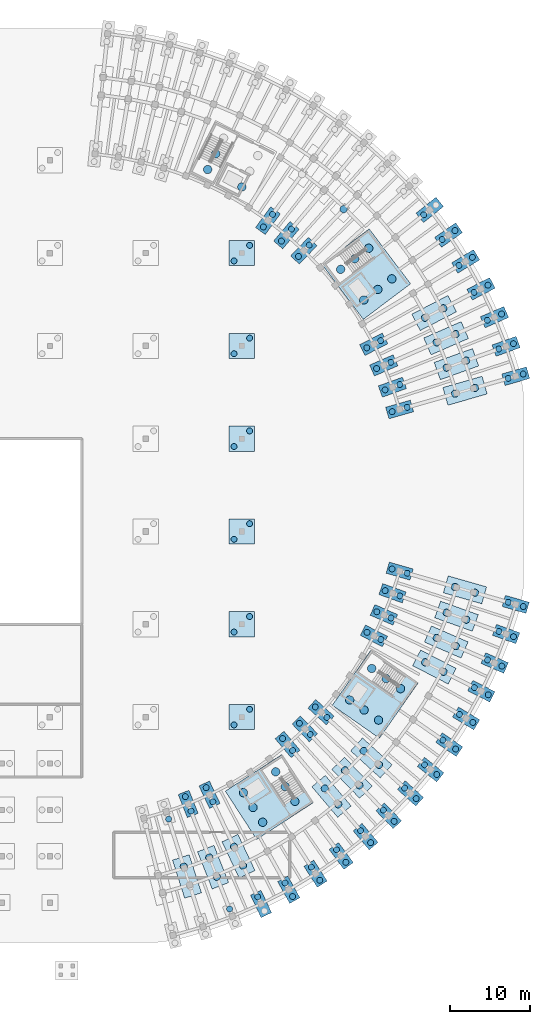
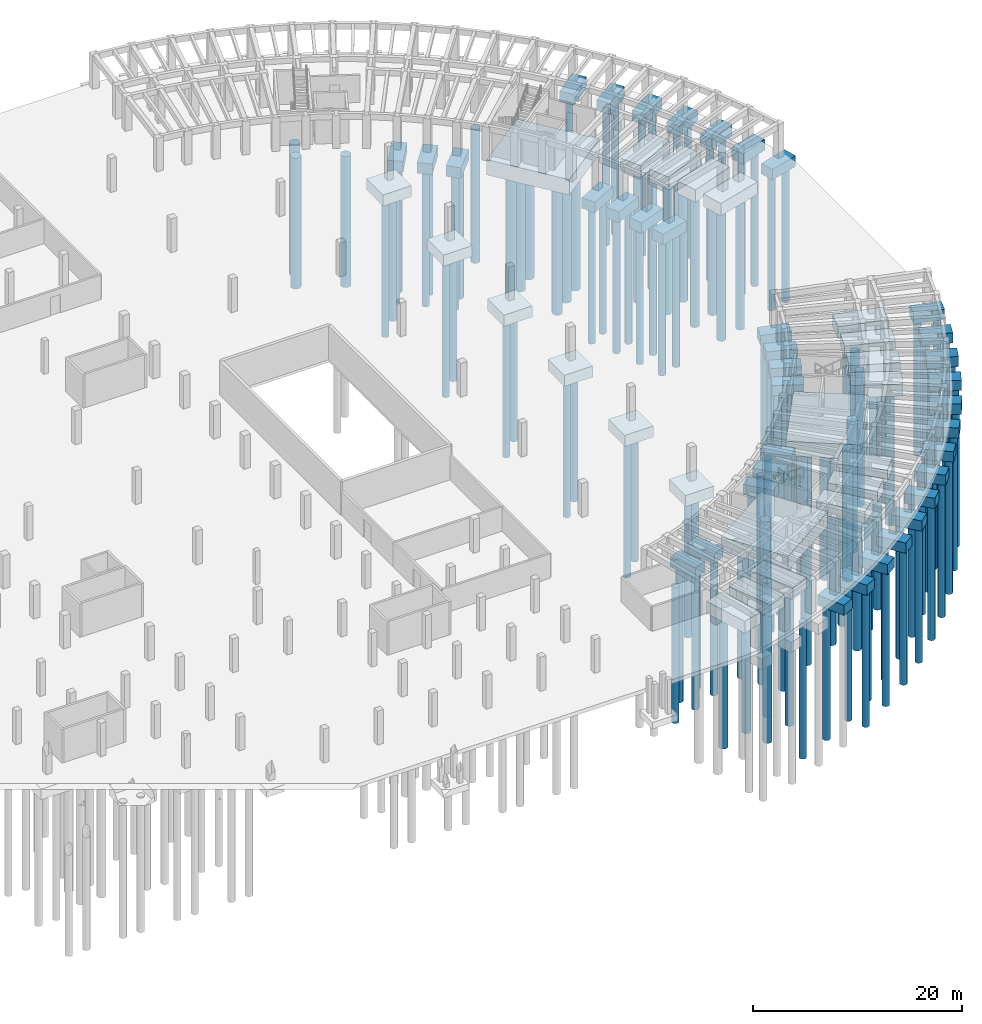
# One storey, part 5 of 29: 135 piles, 60 footings.
"""IFC4 building model written with IfcOpenShell, lengths in metres."""

from ifc_helpers import new_model, si_unit, direction, frame, origin, origin_2d, place, context, subcontext, project, spatial, rectangle, circle, extrude, material, material_profile, profile_set, type_object, element, save


model = new_model("IFC4")

# Units and contexts
model_context = context("Model", 3, precision=1e-05, world=origin(), true_north=direction((0.0, 1.0)))
body_context = subcontext(model_context, "Body", "Model", "MODEL_VIEW")
ifc_project = project(units=[si_unit("LENGTHUNIT", "METRE"), si_unit("AREAUNIT", "SQUARE_METRE"), si_unit("VOLUMEUNIT", "CUBIC_METRE"), si_unit("PLANEANGLEUNIT", "RADIAN"), si_unit("MASSUNIT", "GRAM", prefix="KILO")], contexts=[model_context])

# Site, building, storey
site_placement = place(None, origin())
site = spatial("IfcSite", under=ifc_project, at=site_placement, CompositionType="ELEMENT")
building_placement = place(site_placement, origin())
building = spatial("IfcBuilding", under=site, at=building_placement, Name="Tanwirah Colonnade Gardens", CompositionType="ELEMENT")
storey_placement = place(building_placement, frame((0.0, 0.0, -4.199951171875)))
storey = spatial("IfcBuildingStorey", under=building, at=storey_placement, Name="B1", CompositionType="ELEMENT", Elevation=-4.199951171875)

# Footings
ifc_material = material(Name="Concrete C45/55", Category="concrete")
footing_type_1 = type_object("IfcFootingType", Name="PC-2P75A", PredefinedType="PILE_CAP", material=ifc_material)
for number, where, z_axis, x_axis, name in (
    (1, (137.291015625, 23.142822265625, -1.64990234375), (0.0, 0.0, 1.0), (0.366501226724, -0.930417567982, 0.0), "Footing CAP-D-IN-02"),
    (2, (139.9609375, 24.296875, -1.64990234375), (0.0, 0.0, 1.0), (0.426568739901, -0.904455145454, 0.0), "Footing CAP-D-IN-03"),
    (3, (146.402099609375, 10.6396484375, -1.64990234375), (0.0, 0.0, 1.0), (0.426568739901, -0.904455145454, 0.0), "Footing CAP-D-OUT-03"),
    (4, (149.870361328125, 12.41650390625, -1.64990234375), (0.0, 0.0, 1.0), (0.484809620246, -0.874619707139, 0.0), "Footing CAP-D-OUT-04"),
    (5, (153.215087890625, 14.416015625, -1.64990234375), (0.0, 0.0, 1.0), (0.540974471368, -0.841039012964, 0.0), "Footing CAP-D-OUT-05"),
    (6, (156.421630859375, 16.63037109375, -1.64990234375), (0.0, 0.0, 1.0), (0.594822786751, -0.803856860617, 0.0), "Footing CAP-D-OUT-06"),
    (7, (149.72021484375, 30.57421875, -1.64990234375), (0.0, 0.0, 1.0), (0.646123979643, -0.763232469783, 0.0), "Footing CAP-D-IN-07"),
    (8, (159.4765625, 19.049560546875, -1.64990234375), (0.0, 0.0, 1.0), (0.646123979643, -0.763232469783, 0.0), "Footing CAP-D-OUT-07"),
    (9, (151.877685546875, 32.525390625, -1.64990234375), (0.0, 0.0, 1.0), (0.694658370459, -0.719339800339, 0.0), "Footing CAP-D-IN-08"),
    (10, (162.366943359375, 21.663330078125, -1.64990234375), (0.0, 0.0, 1.0), (0.694658370459, -0.719339800339, 0.0), "Footing CAP-D-OUT-08"),
    (11, (153.902587890625, 34.61328125, -1.64990234375), (0.0, 0.0, 1.0), (0.740218127487, -0.672366807435, 0.0), "Footing CAP-D-IN-09"),
    (12, (165.080078125, 24.46044921875, -1.64990234375), (0.0, 0.0, 1.0), (0.740218127487, -0.672366807435, 0.0), "Footing CAP-D-OUT-09"),
    (13, (167.604248046875, 27.42919921875, -1.64990234375), (0.0, 0.0, 1.0), (0.782608156852, -0.622514636638, 0.0), "Footing CAP-D-OUT-10"),
    (14, (169.928955078125, 30.556640625, -1.64990234375), (0.0, 0.0, 1.0), (0.821646937942, -0.569996762596, 0.0), "Footing CAP-D-OUT-11"),
    (15, (172.04443359375, 33.82958984375, -1.64990234375), (0.0, 0.0, 1.0), (0.857167300702, -0.51503807491, 0.0), "Footing CAP-D-OUT-12"),
    (16, (160.516845703125, 44.1474609375, -1.64990234375), (0.0, 0.0, 1.0), (0.889017141486, -0.457873915117, 0.0), "Footing CAP-D-IN-13"),
    (17, (173.94091796875, 37.233642578125, -1.64990234375), (0.0, 0.0, 1.0), (0.889017141486, -0.457873915117, 0.0), "Footing CAP-D-OUT-13"),
    (18, (161.763427734375, 46.775634765625, -1.64990234375), (0.0, 0.0, 1.0), (0.917060074385, -0.398749068925, 0.0), "Footing CAP-D-IN-14"),
    (19, (175.61083984375, 40.75439453125, -1.64990234375), (0.0, 0.0, 1.0), (0.917060074385, -0.398749068925, 0.0), "Footing CAP-D-OUT-14"),
    (20, (162.835205078125, 49.4794921875, -1.64990234375), (0.0, 0.0, 1.0), (0.941176015256, -0.337916718003, 0.0), "Footing CAP-D-IN-15"),
    (21, (177.047119140625, 44.376953125, -1.64990234375), (0.0, 0.0, 1.0), (0.941176015256, -0.337916718003, 0.0), "Footing CAP-D-OUT-15"),
    (22, (163.72802734375, 52.247802734375, -1.64990234375), (0.0, 0.0, 1.0), (0.961261695938, -0.275637355817, 0.0), "Footing CAP-D-IN-16"),
    (23, (178.2431640625, 48.085693359375, -1.64990234375), (0.0, 0.0, 1.0), (0.961261695938, -0.275637355817, 0.0), "Footing CAP-D-OUT-16"),
):
    element("IfcFooting", number, at=place(storey_placement, frame(where, z_axis=z_axis, x_axis=x_axis)), inside=storey, type_object=footing_type_1, Name=name, PredefinedType="PILE_CAP", context=body_context, shape_type="SweptSolid", body=[
        extrude(rectangle(XDim=3.10009765625, YDim=1.449951171875, at=origin_2d()), origin(), (0.0, 0.0, 1.0), 1.199951171875),
    ])
footing_type_2 = type_object("IfcFootingType", Name="PC-2P75B", PredefinedType="PILE_CAP", material=ifc_material)
for number, where, z_axis, x_axis, name in (
    (24, (163.72802734375, 72.4521484375, -1.699951171875), (0.0, 0.0, 1.0), (0.961261695938, 0.275637355817, 0.0), "Footing CAP-B-IN-00"),
    (25, (178.2431640625, 76.6142578125, -1.699951171875), (0.0, 0.0, 1.0), (0.961261695938, 0.275637355817, 0.0), "Footing CAP-B-OUT-00"),
    (26, (162.827880859375, 75.24072265625, -1.699951171875), (0.0, 0.0, 1.0), (0.941012076693, 0.338372976931, 0.0), "Footing CAP-B-IN-01"),
    (27, (177.037353515625, 80.35009765625, -1.699951171875), (0.0, 0.0, 1.0), (0.941012076693, 0.338372976931, 0.0), "Footing CAP-B-OUT-01"),
    (28, (161.74609375, 77.9638671875, -1.699951171875), (0.0, 0.0, 1.0), (0.916673002238, 0.39963809499, 0.0), "Footing CAP-B-IN-02"),
    (29, (175.587890625, 83.99853515625, -1.699951171875), (0.0, 0.0, 1.0), (0.916673002238, 0.39963809499, 0.0), "Footing CAP-B-OUT-02"),
    (30, (160.487060546875, 80.60986328125, -1.699951171875), (0.0, 0.0, 1.0), (0.88835024545, 0.459166463723, 0.0), "Footing CAP-B-IN-03"),
    (31, (173.9013671875, 87.54345703125, -1.699951171875), (0.0, 0.0, 1.0), (0.88835024545, 0.459166463723, 0.0), "Footing CAP-B-OUT-03"),
    (32, (171.984619140625, 90.969482421875, -1.699951171875), (0.0, 0.0, 1.0), (0.856166891514, 0.516699384434, 0.0), "Footing CAP-B-OUT-04"),
    (33, (169.8466796875, 94.26171875, -1.699951171875), (0.0, 0.0, 1.0), (0.820262803018, 0.571986830255, 0.0), "Footing CAP-B-OUT-05"),
    (34, (167.496337890625, 97.40625, -1.699951171875), (0.0, 0.0, 1.0), (0.780794012137, 0.624788532714, 0.0), "Footing CAP-B-OUT-06"),
    (35, (151.75341796875, 92.294189453125, -1.699951171875), (0.0, 0.0, 1.0), (0.691863164029, 0.722028643656, 0.0), "Footing CAP-B-IN-08"),
    (36, (149.572021484375, 94.250732421875, -1.699951171875), (0.0, 0.0, 1.0), (0.642787582947, 0.766044465556, 0.0), "Footing CAP-B-IN-09"),
    (37, (147.266357421875, 96.05908203125, -1.699951171875), (0.0, 0.0, 1.0), (0.590918572221, 0.806731207407, 0.0), "Footing CAP-B-IN-10"),
):
    element("IfcFooting", number, at=place(storey_placement, frame(where, z_axis=z_axis, x_axis=x_axis)), inside=storey, type_object=footing_type_2, Name=name, PredefinedType="PILE_CAP", context=body_context, shape_type="SweptSolid", body=[
        extrude(rectangle(XDim=3.199951171875, YDim=1.5, at=origin_2d()), origin(), (0.0, 0.0, 1.0), 1.25),
    ])
footing_type_3 = type_object("IfcFootingType", Name="PC-2P90A", PredefinedType="PILE_CAP", material=ifc_material)
for number, where, z_axis, x_axis, name in (
    (38, (137.142578125, 14.070556640625, -1.85009765625), (0.0, 0.0, 1.0), (0.304864299028, -0.952395799643, 0.0), "Footing CAP-D-MD-01"),
    (39, (140.40625, 15.234375, -1.85009765625), (0.0, 0.0, 1.0), (0.366501226724, -0.930417567982, 0.0), "Footing CAP-D-MD-02"),
    (40, (143.5869140625, 16.609130859375, -1.85009765625), (0.0, 0.0, 1.0), (0.426568739901, -0.904455145454, 0.0), "Footing CAP-D-MD-03"),
    (41, (155.212158203125, 24.0869140625, -1.85009765625), (0.0, 0.0, 1.0), (0.646123979643, -0.763232469783, 0.0), "Footing CAP-D-MD-07"),
    (42, (157.7822265625, 26.410888671875, -1.85009765625), (0.0, 0.0, 1.0), (0.694658370459, -0.719339800339, 0.0), "Footing CAP-D-MD-08"),
    (43, (160.194580078125, 28.898193359375, -1.85009765625), (0.0, 0.0, 1.0), (0.740218127487, -0.672366807435, 0.0), "Footing CAP-D-MD-09"),
    (44, (168.073486328125, 40.255615234375, -1.85009765625), (0.0, 0.0, 1.0), (0.889017141486, -0.457873915117, 0.0), "Footing CAP-D-MD-13"),
    (45, (169.558349609375, 43.38623046875, -1.85009765625), (0.0, 0.0, 1.0), (0.917060074385, -0.398749068925, 0.0), "Footing CAP-D-MD-14"),
    (46, (170.835205078125, 46.607421875, -1.85009765625), (0.0, 0.0, 1.0), (0.941176015256, -0.337916718003, 0.0), "Footing CAP-D-MD-15"),
    (47, (171.89892578125, 49.905029296875, -1.85009765625), (0.0, 0.0, 1.0), (0.961261695938, -0.275637355817, 0.0), "Footing CAP-D-MD-16"),
):
    element("IfcFooting", number, at=place(storey_placement, frame(where, z_axis=z_axis, x_axis=x_axis)), inside=storey, type_object=footing_type_3, Name=name, PredefinedType="PILE_CAP", context=body_context, shape_type="SweptSolid", body=[
        extrude(rectangle(XDim=5.0, YDim=2.199951171875, at=origin_2d()), origin(), (0.0, 0.0, 1.0), 1.39990234375),
    ])
footing_type_4 = type_object("IfcFootingType", Name="PC-2P90B", PredefinedType="PILE_CAP", material=ifc_material)
for number, where, z_axis, x_axis, name in (
    (48, (171.89892578125, 74.794921875, -1.89990234375), (0.0, 0.0, 1.0), (0.961261695938, 0.275637355817, 0.0), "Footing CAP-B-MD-00"),
    (49, (170.82666015625, 78.116943359375, -1.89990234375), (0.0, 0.0, 1.0), (0.941012076693, 0.338372976931, 0.0), "Footing CAP-B-MD-01"),
    (50, (169.537841796875, 81.36083984375, -1.89990234375), (0.0, 0.0, 1.0), (0.916673002238, 0.39963809499, 0.0), "Footing CAP-B-MD-02"),
    (51, (168.0380859375, 84.512939453125, -1.89990234375), (0.0, 0.0, 1.0), (0.88835024545, 0.459166463723, 0.0), "Footing CAP-B-MD-03"),
):
    element("IfcFooting", number, at=place(storey_placement, frame(where, z_axis=z_axis, x_axis=x_axis)), inside=storey, type_object=footing_type_4, Name=name, PredefinedType="PILE_CAP", context=body_context, shape_type="SweptSolid", body=[
        extrude(rectangle(XDim=5.10009765625, YDim=2.300048828125, at=origin_2d()), origin(), (0.0, 0.0, 1.0), 1.449951171875),
    ])
footing_type_5 = type_object("IfcFootingType", Name="PC-4P75", PredefinedType="PILE_CAP", material=ifc_material)
for number, where, z_axis, x_axis, name in (
    (52, (144.0, 34.0, -1.75), (0.0, 0.0, 1.0), (1.0, 0.0, 0.0), "Footing CAP-B1G-144-5"),
    (53, (144.0, 45.60009765625, -1.75), (0.0, 0.0, 1.0), (1.0, 0.0, 0.0), "Footing CAP-B1G-144-7"),
    (54, (144.0, 57.199951171875, -1.75), (0.0, 0.0, 1.0), (1.0, 0.0, 0.0), "Footing CAP-B1G-144-9"),
    (55, (144.0, 68.800048828125, -1.75), (0.0, 0.0, 1.0), (1.0, 0.0, 0.0), "Footing CAP-B1G-144-11"),
    (56, (144.0, 80.39990234375, -1.75), (0.0, 0.0, 1.0), (1.0, 0.0, 0.0), "Footing CAP-B1G-144-13"),
    (57, (144.0, 92.0, -1.75), (0.0, 0.0, 1.0), (1.0, 0.0, 0.0), "Footing CAP-B1G-144-15"),
):
    element("IfcFooting", number, at=place(storey_placement, frame(where, z_axis=z_axis, x_axis=x_axis)), inside=storey, type_object=footing_type_5, Name=name, PredefinedType="PILE_CAP", context=body_context, shape_type="SweptSolid", body=[
        extrude(rectangle(XDim=3.14990234375, YDim=3.14990234375, at=origin_2d()), origin(), (0.0, 0.0, 1.0), 1.300048828125),
    ])
footing_type_6 = type_object("IfcFootingType", Name="PC-COREA", PredefinedType="PILE_CAP", material=ifc_material)
footing_placement = place(storey_placement, frame((159.553955078125, 89.377685546875, -2.25), z_axis=(0.0, 0.0, 1.0), x_axis=(-0.798635510047, -0.601815023152, 0.0)))
element("IfcFooting", 58, at=footing_placement, inside=storey, type_object=footing_type_6, Name="Footing CAP-CORE-B1", PredefinedType="PILE_CAP", context=body_context, shape_type="SweptSolid", body=[
    extrude(rectangle(XDim=7.39990234375, YDim=8.60009765625, at=origin_2d()), origin(), (0.0, 0.0, 1.0), 1.800048828125),
])
footing_type_7 = type_object("IfcFootingType", Name="PC-COREB", PredefinedType="PILE_CAP", material=ifc_material)
for number, where, z_axis, x_axis, name in (
    (59, (147.417236328125, 24.004638671875, -2.14990234375), (0.0, 0.0, 1.0), (-0.544639035015, 0.838670567945, 0.0), "Footing CAP-CORE-D1"),
    (60, (160.663330078125, 36.849609375, -2.14990234375), (0.0, 0.0, 1.0), (-0.819152044289, 0.573576436351, 0.0), "Footing CAP-CORE-D2"),
):
    element("IfcFooting", number, at=place(storey_placement, frame(where, z_axis=z_axis, x_axis=x_axis)), inside=storey, type_object=footing_type_7, Name=name, PredefinedType="PILE_CAP", context=body_context, shape_type="SweptSolid", body=[
        extrude(rectangle(XDim=7.199951171875, YDim=8.39990234375, at=origin_2d()), origin(), (0.0, 0.0, 1.0), 1.699951171875),
    ])

# Piles
ifc_material_profile_1 = material_profile(ifc_material, circle(Radius=0.52490234375, at=origin_2d()), Name="PILE D1050")
ifc_profile_set_1 = profile_set([ifc_material_profile_1], Name="Concrete C45/55")
pile_type_1 = type_object("IfcPileType", Name="PILE-D1050", PredefinedType="BORED", material=ifc_profile_set_1)
for number, where, z_axis, x_axis, name in (
    (61, (159.866455078125, 92.618408203125, -2.130126953125), (0.0, 0.0, -1.0), (1.0, 0.0, 0.0), "Bored pile CAP-CORE-B1-P1"),
    (62, (158.109375, 91.29443359375, -2.130126953125), (0.0, 0.0, -1.0), (1.0, 0.0, 0.0), "Bored pile CAP-CORE-B1-P2"),
    (63, (156.3525390625, 89.970458984375, -2.130126953125), (0.0, 0.0, -1.0), (1.0, 0.0, 0.0), "Bored pile CAP-CORE-B1-P3"),
    (64, (162.755126953125, 88.784912109375, -2.130126953125), (0.0, 0.0, -1.0), (1.0, 0.0, 0.0), "Bored pile CAP-CORE-B1-P4"),
    (65, (160.998291015625, 87.4609375, -2.130126953125), (0.0, 0.0, -1.0), (1.0, 0.0, 0.0), "Bored pile CAP-CORE-B1-P5"),
    (66, (159.2412109375, 86.136962890625, -2.130126953125), (0.0, 0.0, -1.0), (1.0, 0.0, 0.0), "Bored pile CAP-CORE-B1-P6"),
    (67, (140.722900390625, 104.4150390625, -2.130126953125), (0.0, 0.0, -1.0), (1.0, 0.0, 0.0), "Bored pile CAP-CORE-B2-P2"),
    (68, (139.72412109375, 102.454833984375, -2.130126953125), (0.0, 0.0, -1.0), (1.0, 0.0, 0.0), "Bored pile CAP-CORE-B2-P3"),
    (69, (144.0009765625, 100.27587890625, -2.130126953125), (0.0, 0.0, -1.0), (1.0, 0.0, 0.0), "Bored pile CAP-CORE-B2-P6"),
):
    element("IfcPile", number, at=place(storey_placement, frame(where, z_axis=z_axis, x_axis=x_axis)), inside=storey, type_object=pile_type_1, Name=name, PredefinedType="BORED", context=body_context, shape_type="SweptSolid", body=[
        extrude(circle(Radius=0.52490234375, at=origin_2d()), origin(), (0.0, 0.0, 1.0), 15.320068359375),
    ])
for number, where, z_axis, x_axis, name in (
    (70, (150.628173828125, 23.466796875, -2.030029296875), (0.0, 0.0, -1.0), (1.0, 0.0, 0.0), "Bored pile CAP-CORE-D1-P1"),
    (71, (149.429931640625, 25.311767578125, -2.030029296875), (0.0, 0.0, -1.0), (1.0, 0.0, 0.0), "Bored pile CAP-CORE-D1-P2"),
    (72, (148.231689453125, 27.156982421875, -2.030029296875), (0.0, 0.0, -1.0), (1.0, 0.0, 0.0), "Bored pile CAP-CORE-D1-P3"),
    (73, (146.6025390625, 20.8525390625, -2.030029296875), (0.0, 0.0, -1.0), (1.0, 0.0, 0.0), "Bored pile CAP-CORE-D1-P4"),
    (74, (145.404296875, 22.697509765625, -2.030029296875), (0.0, 0.0, -1.0), (1.0, 0.0, 0.0), "Bored pile CAP-CORE-D1-P5"),
    (75, (144.2060546875, 24.542724609375, -2.030029296875), (0.0, 0.0, -1.0), (1.0, 0.0, 0.0), "Bored pile CAP-CORE-D1-P6"),
    (76, (163.842041015625, 37.5537109375, -2.030029296875), (0.0, 0.0, -1.0), (1.0, 0.0, 0.0), "Bored pile CAP-CORE-D2-P1"),
    (77, (162.0400390625, 38.8154296875, -2.030029296875), (0.0, 0.0, -1.0), (1.0, 0.0, 0.0), "Bored pile CAP-CORE-D2-P2"),
    (78, (160.23779296875, 40.077392578125, -2.030029296875), (0.0, 0.0, -1.0), (1.0, 0.0, 0.0), "Bored pile CAP-CORE-D2-P3"),
    (79, (161.0888671875, 33.62158203125, -2.030029296875), (0.0, 0.0, -1.0), (1.0, 0.0, 0.0), "Bored pile CAP-CORE-D2-P4"),
    (80, (159.286865234375, 34.883544921875, -2.030029296875), (0.0, 0.0, -1.0), (1.0, 0.0, 0.0), "Bored pile CAP-CORE-D2-P5"),
    (81, (157.484619140625, 36.1455078125, -2.030029296875), (0.0, 0.0, -1.0), (1.0, 0.0, 0.0), "Bored pile CAP-CORE-D2-P6"),
):
    element("IfcPile", number, at=place(storey_placement, frame(where, z_axis=z_axis, x_axis=x_axis)), inside=storey, type_object=pile_type_1, Name=name, PredefinedType="BORED", context=body_context, shape_type="SweptSolid", body=[
        extrude(circle(Radius=0.52490234375, at=origin_2d()), origin(), (0.0, 0.0, 1.0), 15.419921875),
    ])
ifc_material_profile_2 = material_profile(ifc_material, circle(Radius=0.375, at=origin_2d()), Name="PILE D750")
ifc_profile_set_2 = profile_set([ifc_material_profile_2], Name="Concrete C45/55")
pile_type_2 = type_object("IfcPileType", Name="PILE-D750", PredefinedType="BORED", material=ifc_profile_set_2)
for number, where, z_axis, x_axis, name in (
    (82, (162.790771484375, 72.183349609375, -1.580078125), (0.0, 0.0, -1.0), (1.0, 0.0, 0.0), "Bored pile CAP-B-IN-00-P1"),
    (83, (164.665283203125, 72.720947265625, -1.580078125), (0.0, 0.0, -1.0), (1.0, 0.0, 0.0), "Bored pile CAP-B-IN-00-P2"),
    (84, (177.305908203125, 76.345458984375, -1.580078125), (0.0, 0.0, -1.0), (1.0, 0.0, 0.0), "Bored pile CAP-B-OUT-00-P1"),
    (85, (179.180419921875, 76.883056640625, -1.580078125), (0.0, 0.0, -1.0), (1.0, 0.0, 0.0), "Bored pile CAP-B-OUT-00-P2"),
    (86, (161.910400390625, 74.91064453125, -1.580078125), (0.0, 0.0, -1.0), (1.0, 0.0, 0.0), "Bored pile CAP-B-IN-01-P1"),
    (87, (163.745361328125, 75.570556640625, -1.580078125), (0.0, 0.0, -1.0), (1.0, 0.0, 0.0), "Bored pile CAP-B-IN-01-P2"),
    (88, (176.119873046875, 80.020263671875, -1.580078125), (0.0, 0.0, -1.0), (1.0, 0.0, 0.0), "Bored pile CAP-B-OUT-01-P1"),
    (89, (177.954833984375, 80.679931640625, -1.580078125), (0.0, 0.0, -1.0), (1.0, 0.0, 0.0), "Bored pile CAP-B-OUT-01-P2"),
    (90, (160.852294921875, 77.57421875, -1.580078125), (0.0, 0.0, -1.0), (1.0, 0.0, 0.0), "Bored pile CAP-B-IN-02-P1"),
    (91, (162.639892578125, 78.353515625, -1.580078125), (0.0, 0.0, -1.0), (1.0, 0.0, 0.0), "Bored pile CAP-B-IN-02-P2"),
    (92, (174.694091796875, 83.60888671875, -1.580078125), (0.0, 0.0, -1.0), (1.0, 0.0, 0.0), "Bored pile CAP-B-OUT-02-P1"),
    (93, (176.481689453125, 84.38818359375, -1.580078125), (0.0, 0.0, -1.0), (1.0, 0.0, 0.0), "Bored pile CAP-B-OUT-02-P2"),
    (94, (159.62109375, 80.162353515625, -1.580078125), (0.0, 0.0, -1.0), (1.0, 0.0, 0.0), "Bored pile CAP-B-IN-03-P1"),
    (95, (161.353271484375, 81.0576171875, -1.580078125), (0.0, 0.0, -1.0), (1.0, 0.0, 0.0), "Bored pile CAP-B-IN-03-P2"),
    (96, (173.03515625, 87.095703125, -1.580078125), (0.0, 0.0, -1.0), (1.0, 0.0, 0.0), "Bored pile CAP-B-OUT-03-P1"),
    (97, (174.767333984375, 87.990966796875, -1.580078125), (0.0, 0.0, -1.0), (1.0, 0.0, 0.0), "Bored pile CAP-B-OUT-03-P2"),
    (98, (171.14990234375, 90.465576171875, -1.580078125), (0.0, 0.0, -1.0), (1.0, 0.0, 0.0), "Bored pile CAP-B-OUT-04-P1"),
    (99, (172.819580078125, 91.47314453125, -1.580078125), (0.0, 0.0, -1.0), (1.0, 0.0, 0.0), "Bored pile CAP-B-OUT-04-P2"),
    (100, (169.046875, 93.7041015625, -1.580078125), (0.0, 0.0, -1.0), (1.0, 0.0, 0.0), "Bored pile CAP-B-OUT-05-P1"),
    (101, (170.646484375, 94.819580078125, -1.580078125), (0.0, 0.0, -1.0), (1.0, 0.0, 0.0), "Bored pile CAP-B-OUT-05-P2"),
    (102, (166.735107421875, 96.796875, -1.580078125), (0.0, 0.0, -1.0), (1.0, 0.0, 0.0), "Bored pile CAP-B-OUT-06-P1"),
    (103, (151.078857421875, 91.590087890625, -1.580078125), (0.0, 0.0, -1.0), (1.0, 0.0, 0.0), "Bored pile CAP-B-IN-08-P1"),
    (104, (152.427978515625, 92.998046875, -1.580078125), (0.0, 0.0, -1.0), (1.0, 0.0, 0.0), "Bored pile CAP-B-IN-08-P2"),
    (105, (148.945068359375, 93.503662109375, -1.580078125), (0.0, 0.0, -1.0), (1.0, 0.0, 0.0), "Bored pile CAP-B-IN-09-P1"),
    (106, (150.19873046875, 94.99755859375, -1.580078125), (0.0, 0.0, -1.0), (1.0, 0.0, 0.0), "Bored pile CAP-B-IN-09-P2"),
    (107, (146.690185546875, 95.272705078125, -1.580078125), (0.0, 0.0, -1.0), (1.0, 0.0, 0.0), "Bored pile CAP-B-IN-10-P1"),
    (108, (147.842529296875, 96.845703125, -1.580078125), (0.0, 0.0, -1.0), (1.0, 0.0, 0.0), "Bored pile CAP-B-IN-10-P2"),
):
    element("IfcPile", number, at=place(storey_placement, frame(where, z_axis=z_axis, x_axis=x_axis)), inside=storey, type_object=pile_type_2, Name=name, PredefinedType="BORED", context=body_context, shape_type="SweptSolid", body=[
        extrude(circle(Radius=0.375, at=origin_2d()), origin(), (0.0, 0.0, 1.0), 15.8701171875),
    ])
for number, where, z_axis, x_axis, name in (
    (109, (134.848388671875, 21.2373046875, -1.530029296875), (0.0, 0.0, -1.0), (1.0, 0.0, 0.0), "Bored pile CAP-D-IN-01-P2"),
    (110, (136.93359375, 24.050048828125, -1.530029296875), (0.0, 0.0, -1.0), (1.0, 0.0, 0.0), "Bored pile CAP-D-IN-02-P1"),
    (111, (137.6484375, 22.23583984375, -1.530029296875), (0.0, 0.0, -1.0), (1.0, 0.0, 0.0), "Bored pile CAP-D-IN-02-P2"),
    (112, (142.4677734375, 10.000732421875, -1.530029296875), (0.0, 0.0, -1.0), (1.0, 0.0, 0.0), "Bored pile CAP-D-OUT-02-P1"),
    (113, (139.545166015625, 25.1787109375, -1.530029296875), (0.0, 0.0, -1.0), (1.0, 0.0, 0.0), "Bored pile CAP-D-IN-03-P1"),
    (114, (140.376953125, 23.4150390625, -1.530029296875), (0.0, 0.0, -1.0), (1.0, 0.0, 0.0), "Bored pile CAP-D-IN-03-P2"),
    (115, (145.986328125, 11.521484375, -1.530029296875), (0.0, 0.0, -1.0), (1.0, 0.0, 0.0), "Bored pile CAP-D-OUT-03-P1"),
    (116, (149.397705078125, 13.26904296875, -1.530029296875), (0.0, 0.0, -1.0), (1.0, 0.0, 0.0), "Bored pile CAP-D-OUT-04-P1"),
    (117, (150.343017578125, 11.563720703125, -1.530029296875), (0.0, 0.0, -1.0), (1.0, 0.0, 0.0), "Bored pile CAP-D-OUT-04-P2"),
    (118, (152.6875, 15.236083984375, -1.530029296875), (0.0, 0.0, -1.0), (1.0, 0.0, 0.0), "Bored pile CAP-D-OUT-05-P1"),
    (119, (153.742431640625, 13.59619140625, -1.530029296875), (0.0, 0.0, -1.0), (1.0, 0.0, 0.0), "Bored pile CAP-D-OUT-05-P2"),
    (120, (155.841796875, 17.4140625, -1.530029296875), (0.0, 0.0, -1.0), (1.0, 0.0, 0.0), "Bored pile CAP-D-OUT-06-P1"),
    (121, (157.001708984375, 15.8466796875, -1.530029296875), (0.0, 0.0, -1.0), (1.0, 0.0, 0.0), "Bored pile CAP-D-OUT-06-P2"),
    (122, (149.09033203125, 31.318359375, -1.530029296875), (0.0, 0.0, -1.0), (1.0, 0.0, 0.0), "Bored pile CAP-D-IN-07-P1"),
    (123, (150.35009765625, 29.830078125, -1.530029296875), (0.0, 0.0, -1.0), (1.0, 0.0, 0.0), "Bored pile CAP-D-IN-07-P2"),
    (124, (158.8466796875, 19.793701171875, -1.530029296875), (0.0, 0.0, -1.0), (1.0, 0.0, 0.0), "Bored pile CAP-D-OUT-07-P1"),
    (125, (160.106689453125, 18.305419921875, -1.530029296875), (0.0, 0.0, -1.0), (1.0, 0.0, 0.0), "Bored pile CAP-D-OUT-07-P2"),
    (126, (151.2001953125, 33.226806640625, -1.530029296875), (0.0, 0.0, -1.0), (1.0, 0.0, 0.0), "Bored pile CAP-D-IN-08-P1"),
    (127, (152.554931640625, 31.823974609375, -1.530029296875), (0.0, 0.0, -1.0), (1.0, 0.0, 0.0), "Bored pile CAP-D-IN-08-P2"),
    (128, (161.689697265625, 22.36474609375, -1.530029296875), (0.0, 0.0, -1.0), (1.0, 0.0, 0.0), "Bored pile CAP-D-OUT-08-P1"),
    (129, (163.044189453125, 20.9619140625, -1.530029296875), (0.0, 0.0, -1.0), (1.0, 0.0, 0.0), "Bored pile CAP-D-OUT-08-P2"),
    (130, (153.180908203125, 35.268798828125, -1.530029296875), (0.0, 0.0, -1.0), (1.0, 0.0, 0.0), "Bored pile CAP-D-IN-09-P1"),
    (131, (154.62451171875, 33.957763671875, -1.530029296875), (0.0, 0.0, -1.0), (1.0, 0.0, 0.0), "Bored pile CAP-D-IN-09-P2"),
    (132, (164.358154296875, 25.1162109375, -1.530029296875), (0.0, 0.0, -1.0), (1.0, 0.0, 0.0), "Bored pile CAP-D-OUT-09-P1"),
    (133, (165.8017578125, 23.804931640625, -1.530029296875), (0.0, 0.0, -1.0), (1.0, 0.0, 0.0), "Bored pile CAP-D-OUT-09-P2"),
    (134, (166.84130859375, 28.0361328125, -1.530029296875), (0.0, 0.0, -1.0), (1.0, 0.0, 0.0), "Bored pile CAP-D-OUT-10-P1"),
    (135, (168.367431640625, 26.822265625, -1.530029296875), (0.0, 0.0, -1.0), (1.0, 0.0, 0.0), "Bored pile CAP-D-OUT-10-P2"),
    (136, (169.1279296875, 31.112548828125, -1.530029296875), (0.0, 0.0, -1.0), (1.0, 0.0, 0.0), "Bored pile CAP-D-OUT-11-P1"),
    (137, (170.730224609375, 30.0009765625, -1.530029296875), (0.0, 0.0, -1.0), (1.0, 0.0, 0.0), "Bored pile CAP-D-OUT-11-P2"),
    (138, (171.20849609375, 34.33154296875, -1.530029296875), (0.0, 0.0, -1.0), (1.0, 0.0, 0.0), "Bored pile CAP-D-OUT-12-P1"),
    (139, (172.880126953125, 33.327392578125, -1.530029296875), (0.0, 0.0, -1.0), (1.0, 0.0, 0.0), "Bored pile CAP-D-OUT-12-P2"),
    (140, (159.64990234375, 44.593994140625, -1.530029296875), (0.0, 0.0, -1.0), (1.0, 0.0, 0.0), "Bored pile CAP-D-IN-13-P1"),
    (141, (161.383544921875, 43.701171875, -1.530029296875), (0.0, 0.0, -1.0), (1.0, 0.0, 0.0), "Bored pile CAP-D-IN-13-P2"),
    (142, (173.07421875, 37.679931640625, -1.530029296875), (0.0, 0.0, -1.0), (1.0, 0.0, 0.0), "Bored pile CAP-D-OUT-13-P1"),
    (143, (174.807861328125, 36.787109375, -1.530029296875), (0.0, 0.0, -1.0), (1.0, 0.0, 0.0), "Bored pile CAP-D-OUT-13-P2"),
    (144, (160.869140625, 47.164306640625, -1.530029296875), (0.0, 0.0, -1.0), (1.0, 0.0, 0.0), "Bored pile CAP-D-IN-14-P1"),
    (145, (162.657470703125, 46.38671875, -1.530029296875), (0.0, 0.0, -1.0), (1.0, 0.0, 0.0), "Bored pile CAP-D-IN-14-P2"),
    (146, (174.716796875, 41.143310546875, -1.530029296875), (0.0, 0.0, -1.0), (1.0, 0.0, 0.0), "Bored pile CAP-D-OUT-14-P1"),
    (147, (176.505126953125, 40.36572265625, -1.530029296875), (0.0, 0.0, -1.0), (1.0, 0.0, 0.0), "Bored pile CAP-D-OUT-14-P2"),
    (148, (161.917724609375, 49.80908203125, -1.530029296875), (0.0, 0.0, -1.0), (1.0, 0.0, 0.0), "Bored pile CAP-D-IN-15-P1"),
    (149, (163.7529296875, 49.150146484375, -1.530029296875), (0.0, 0.0, -1.0), (1.0, 0.0, 0.0), "Bored pile CAP-D-IN-15-P2"),
    (150, (176.12939453125, 44.70654296875, -1.530029296875), (0.0, 0.0, -1.0), (1.0, 0.0, 0.0), "Bored pile CAP-D-OUT-15-P1"),
    (151, (177.964599609375, 44.047607421875, -1.530029296875), (0.0, 0.0, -1.0), (1.0, 0.0, 0.0), "Bored pile CAP-D-OUT-15-P2"),
    (152, (162.790771484375, 52.5166015625, -1.530029296875), (0.0, 0.0, -1.0), (1.0, 0.0, 0.0), "Bored pile CAP-D-IN-16-P1"),
    (153, (164.665283203125, 51.979248046875, -1.530029296875), (0.0, 0.0, -1.0), (1.0, 0.0, 0.0), "Bored pile CAP-D-IN-16-P2"),
    (154, (177.305908203125, 48.3544921875, -1.530029296875), (0.0, 0.0, -1.0), (1.0, 0.0, 0.0), "Bored pile CAP-D-OUT-16-P1"),
    (155, (179.180419921875, 47.817138671875, -1.530029296875), (0.0, 0.0, -1.0), (1.0, 0.0, 0.0), "Bored pile CAP-D-OUT-16-P2"),
):
    element("IfcPile", number, at=place(storey_placement, frame(where, z_axis=z_axis, x_axis=x_axis)), inside=storey, type_object=pile_type_2, Name=name, PredefinedType="BORED", context=body_context, shape_type="SweptSolid", body=[
        extrude(circle(Radius=0.375, at=origin_2d()), origin(), (0.0, 0.0, 1.0), 15.919921875),
    ])
for number, where, z_axis, x_axis, name in (
    (156, (143.02490234375, 33.02490234375, -1.630126953125), (0.0, 0.0, -1.0), (1.0, 0.0, 0.0), "Bored pile CAP-B1G-144-5-P1"),
    (157, (144.97509765625, 34.97509765625, -1.630126953125), (0.0, 0.0, -1.0), (1.0, 0.0, 0.0), "Bored pile CAP-B1G-144-5-P2"),
    (158, (143.02490234375, 44.625, -1.630126953125), (0.0, 0.0, -1.0), (1.0, 0.0, 0.0), "Bored pile CAP-B1G-144-7-P1"),
    (159, (144.97509765625, 46.574951171875, -1.630126953125), (0.0, 0.0, -1.0), (1.0, 0.0, 0.0), "Bored pile CAP-B1G-144-7-P2"),
    (160, (143.02490234375, 56.22509765625, -1.630126953125), (0.0, 0.0, -1.0), (1.0, 0.0, 0.0), "Bored pile CAP-B1G-144-9-P1"),
    (161, (144.97509765625, 58.175048828125, -1.630126953125), (0.0, 0.0, -1.0), (1.0, 0.0, 0.0), "Bored pile CAP-B1G-144-9-P2"),
    (162, (143.02490234375, 67.824951171875, -1.630126953125), (0.0, 0.0, -1.0), (1.0, 0.0, 0.0), "Bored pile CAP-B1G-144-11-P1"),
    (163, (144.97509765625, 69.77490234375, -1.630126953125), (0.0, 0.0, -1.0), (1.0, 0.0, 0.0), "Bored pile CAP-B1G-144-11-P2"),
    (164, (143.02490234375, 79.425048828125, -1.630126953125), (0.0, 0.0, -1.0), (1.0, 0.0, 0.0), "Bored pile CAP-B1G-144-13-P1"),
    (165, (144.97509765625, 81.375, -1.630126953125), (0.0, 0.0, -1.0), (1.0, 0.0, 0.0), "Bored pile CAP-B1G-144-13-P2"),
    (166, (143.02490234375, 91.02490234375, -1.630126953125), (0.0, 0.0, -1.0), (1.0, 0.0, 0.0), "Bored pile CAP-B1G-144-15-P1"),
    (167, (144.97509765625, 92.97509765625, -1.630126953125), (0.0, 0.0, -1.0), (1.0, 0.0, 0.0), "Bored pile CAP-B1G-144-15-P2"),
):
    element("IfcPile", number, at=place(storey_placement, frame(where, z_axis=z_axis, x_axis=x_axis)), inside=storey, type_object=pile_type_2, Name=name, PredefinedType="BORED", context=body_context, shape_type="SweptSolid", body=[
        extrude(circle(Radius=0.375, at=origin_2d()), origin(), (0.0, 0.0, 1.0), 15.820068359375),
    ])
ifc_material_profile_3 = material_profile(ifc_material, circle(Radius=0.449951171875, at=origin_2d()), Name="PILE D900")
ifc_profile_set_3 = profile_set([ifc_material_profile_3], Name="Concrete C45/55")
pile_type_3 = type_object("IfcPileType", Name="PILE-D900", PredefinedType="BORED", material=ifc_profile_set_3)
for number, where, z_axis, x_axis, name in (
    (168, (170.649169921875, 74.436767578125, -1.780029296875), (0.0, 0.0, -1.0), (1.0, 0.0, 0.0), "Bored pile CAP-B-MD-00-P1"),
    (169, (173.1484375, 75.1533203125, -1.780029296875), (0.0, 0.0, -1.0), (1.0, 0.0, 0.0), "Bored pile CAP-B-MD-00-P2"),
    (170, (169.603271484375, 77.677001953125, -1.780029296875), (0.0, 0.0, -1.0), (1.0, 0.0, 0.0), "Bored pile CAP-B-MD-01-P1"),
    (171, (172.0498046875, 78.556640625, -1.780029296875), (0.0, 0.0, -1.0), (1.0, 0.0, 0.0), "Bored pile CAP-B-MD-01-P2"),
    (172, (168.34619140625, 80.84130859375, -1.780029296875), (0.0, 0.0, -1.0), (1.0, 0.0, 0.0), "Bored pile CAP-B-MD-02-P1"),
    (173, (170.7294921875, 81.88037109375, -1.780029296875), (0.0, 0.0, -1.0), (1.0, 0.0, 0.0), "Bored pile CAP-B-MD-02-P2"),
    (174, (166.88330078125, 83.916015625, -1.780029296875), (0.0, 0.0, -1.0), (1.0, 0.0, 0.0), "Bored pile CAP-B-MD-03-P1"),
    (175, (169.193115234375, 85.10986328125, -1.780029296875), (0.0, 0.0, -1.0), (1.0, 0.0, 0.0), "Bored pile CAP-B-MD-03-P2"),
    (176, (156.734619140625, 97.49267578125, -1.780029296875), (0.0, 0.0, -1.0), (1.0, 0.0, 0.0), "Bored pile CAP-B-MD-08-P1"),
):
    element("IfcPile", number, at=place(storey_placement, frame(where, z_axis=z_axis, x_axis=x_axis)), inside=storey, type_object=pile_type_3, Name=name, PredefinedType="BORED", context=body_context, shape_type="SweptSolid", body=[
        extrude(circle(Radius=0.449951171875, at=origin_2d()), origin(), (0.0, 0.0, 1.0), 15.669921875),
    ])
for number, where, z_axis, x_axis, name in (
    (177, (136.746337890625, 15.308837890625, -1.72998046875), (0.0, 0.0, -1.0), (1.0, 0.0, 0.0), "Bored pile CAP-D-MD-01-P1"),
    (178, (139.9296875, 16.44384765625, -1.72998046875), (0.0, 0.0, -1.0), (1.0, 0.0, 0.0), "Bored pile CAP-D-MD-02-P1"),
    (179, (140.8828125, 14.02490234375, -1.72998046875), (0.0, 0.0, -1.0), (1.0, 0.0, 0.0), "Bored pile CAP-D-MD-02-P2"),
    (180, (143.0322265625, 17.784912109375, -1.72998046875), (0.0, 0.0, -1.0), (1.0, 0.0, 0.0), "Bored pile CAP-D-MD-03-P1"),
    (181, (144.141357421875, 15.433349609375, -1.72998046875), (0.0, 0.0, -1.0), (1.0, 0.0, 0.0), "Bored pile CAP-D-MD-03-P2"),
    (182, (154.372314453125, 25.0791015625, -1.72998046875), (0.0, 0.0, -1.0), (1.0, 0.0, 0.0), "Bored pile CAP-D-MD-07-P1"),
    (183, (156.05224609375, 23.0947265625, -1.72998046875), (0.0, 0.0, -1.0), (1.0, 0.0, 0.0), "Bored pile CAP-D-MD-07-P2"),
    (184, (156.879150390625, 27.34619140625, -1.72998046875), (0.0, 0.0, -1.0), (1.0, 0.0, 0.0), "Bored pile CAP-D-MD-08-P1"),
    (185, (158.685302734375, 25.475830078125, -1.72998046875), (0.0, 0.0, -1.0), (1.0, 0.0, 0.0), "Bored pile CAP-D-MD-08-P2"),
    (186, (159.232177734375, 29.772216796875, -1.72998046875), (0.0, 0.0, -1.0), (1.0, 0.0, 0.0), "Bored pile CAP-D-MD-09-P1"),
    (187, (161.15673828125, 28.024169921875, -1.72998046875), (0.0, 0.0, -1.0), (1.0, 0.0, 0.0), "Bored pile CAP-D-MD-09-P2"),
    (188, (166.917724609375, 40.850830078125, -1.72998046875), (0.0, 0.0, -1.0), (1.0, 0.0, 0.0), "Bored pile CAP-D-MD-13-P1"),
    (189, (169.229248046875, 39.660400390625, -1.72998046875), (0.0, 0.0, -1.0), (1.0, 0.0, 0.0), "Bored pile CAP-D-MD-13-P2"),
    (190, (168.3662109375, 43.904541015625, -1.72998046875), (0.0, 0.0, -1.0), (1.0, 0.0, 0.0), "Bored pile CAP-D-MD-14-P1"),
    (191, (170.75048828125, 42.867919921875, -1.72998046875), (0.0, 0.0, -1.0), (1.0, 0.0, 0.0), "Bored pile CAP-D-MD-14-P2"),
    (192, (169.61181640625, 47.046630859375, -1.72998046875), (0.0, 0.0, -1.0), (1.0, 0.0, 0.0), "Bored pile CAP-D-MD-15-P1"),
    (193, (172.058837890625, 46.16796875, -1.72998046875), (0.0, 0.0, -1.0), (1.0, 0.0, 0.0), "Bored pile CAP-D-MD-15-P2"),
    (194, (170.649169921875, 50.263427734375, -1.72998046875), (0.0, 0.0, -1.0), (1.0, 0.0, 0.0), "Bored pile CAP-D-MD-16-P1"),
    (195, (173.1484375, 49.546630859375, -1.72998046875), (0.0, 0.0, -1.0), (1.0, 0.0, 0.0), "Bored pile CAP-D-MD-16-P2"),
):
    element("IfcPile", number, at=place(storey_placement, frame(where, z_axis=z_axis, x_axis=x_axis)), inside=storey, type_object=pile_type_3, Name=name, PredefinedType="BORED", context=body_context, shape_type="SweptSolid", body=[
        extrude(circle(Radius=0.449951171875, at=origin_2d()), origin(), (0.0, 0.0, 1.0), 15.719970703125),
    ])

save(model, "model.ifc")
